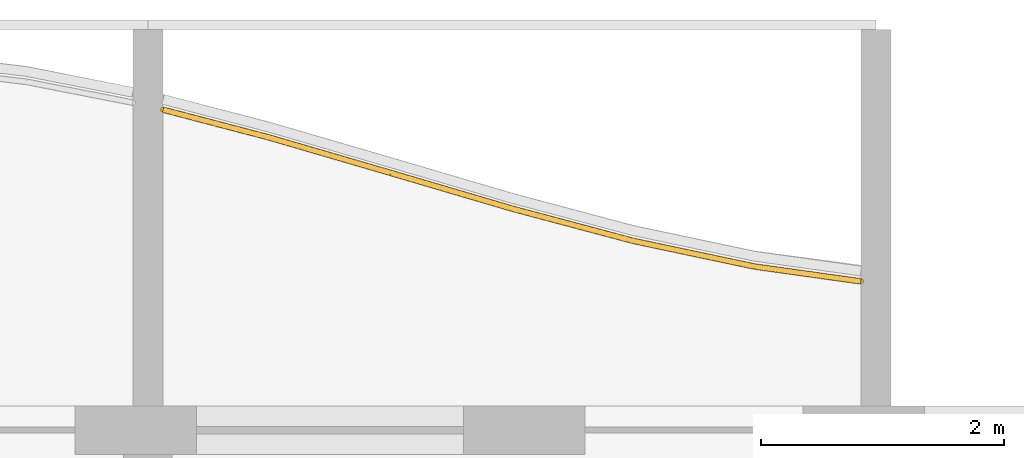
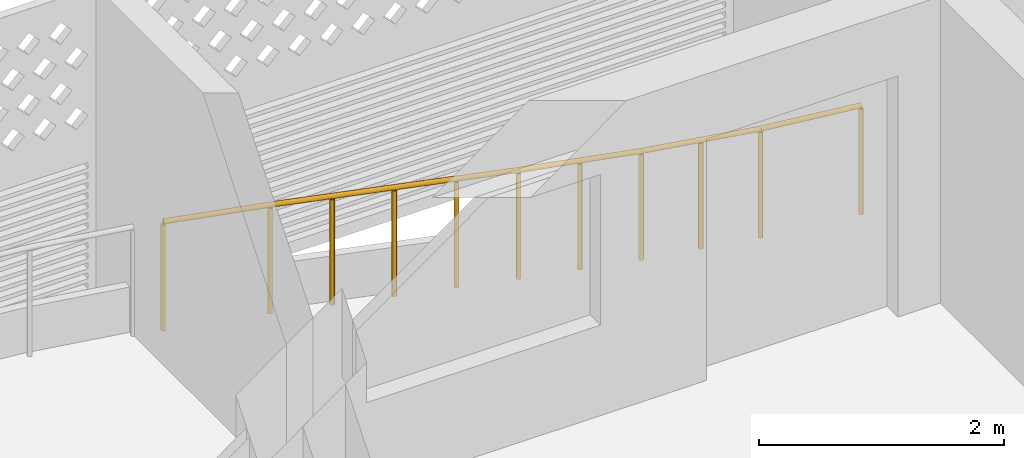
# One storey, part 22 of 40: 1 railing.
"""IFC4 building model written with IfcOpenShell, lengths in metres."""

from ifc_helpers import new_model, si_unit, direction, frame, origin, origin_2d, place, context, subcontext, project, spatial, circle, extrude, material, type_object, element, save


model = new_model("IFC4")

# Units and contexts
model_context = context("Model", 3, precision=1e-05, world=origin(), true_north=direction((0.0, 1.0)))
body_context = subcontext(model_context, "Body", "Model", "MODEL_VIEW")
ifc_project = project(units=[si_unit("LENGTHUNIT", "METRE"), si_unit("AREAUNIT", "SQUARE_METRE"), si_unit("VOLUMEUNIT", "CUBIC_METRE"), si_unit("PLANEANGLEUNIT", "RADIAN"), si_unit("MASSUNIT", "GRAM", prefix="KILO")], contexts=[model_context])

# Site, building, storey
site_placement = place(None, origin())
site = spatial("IfcSite", under=ifc_project, at=site_placement, CompositionType="ELEMENT")
building_placement = place(site_placement, origin())
building = spatial("IfcBuilding", under=site, at=building_placement, Name="Poui Terraces", CompositionType="ELEMENT")
storey_placement = place(building_placement, frame((0.0, 0.0, 36.60009765625)))
storey = spatial("IfcBuildingStorey", under=building, at=storey_placement, Name="L09", CompositionType="ELEMENT", Elevation=36.60009765625)

# Railing
ifc_material = material(Name="Painted steel fretwork", Category="steel")
railing_type = type_object("IfcRailingType", Name="BALCONY GUARD 1100", PredefinedType="GUARDRAIL", material=ifc_material)
railing_placement = place(storey_placement, frame((12.125, 47.440673828125, 0.0)))
element("IfcRailing", 1, at=railing_placement, inside=storey, type_object=railing_type, Name="BALCONY GUARD", PredefinedType="GUARDRAIL", context=body_context, shape_type="SweptSolid", body=[
    extrude(circle(Radius=0.02392578125, at=origin_2d()), frame((0.0, 0.0, 1.076171875), z_axis=(0.967350168879, -0.253443584983, 0.0), x_axis=(0.253443584983, 0.967350168879, 0.0)), (0.0, 0.0, 1.0), 0.904541015625),
    extrude(circle(Radius=0.02392578125, at=origin_2d()), frame((0.875, -0.229248046875, 1.076171875), z_axis=(0.960041991036, -0.279855990551, 0.0), x_axis=(0.279855990551, 0.960041991036, 0.0)), (0.0, 0.0, 1.0), 1.04150390625),
    extrude(circle(Radius=0.02392578125, at=origin_2d()), frame((1.875, -0.520751953125, 1.076171875), z_axis=(0.959346851742, -0.282229725671, 0.0), x_axis=(0.282229725671, 0.959346851742, 0.0)), (0.0, 0.0, 1.0), 1.04248046875),
    extrude(circle(Radius=0.02392578125, at=origin_2d()), frame((2.875, -0.81494140625, 1.076171875), z_axis=(0.966309295868, -0.257383652781, 0.0), x_axis=(0.257383652781, 0.966309295868, 0.0)), (0.0, 0.0, 1.0), 1.034912109375),
    extrude(circle(Radius=0.02392578125, at=origin_2d()), frame((3.875, -1.081298828125, 1.076171875), z_axis=(0.978420335295, -0.206624411629, 0.0), x_axis=(0.206624411629, 0.978420335295, 0.0)), (0.0, 0.0, 1.0), 1.02197265625),
    extrude(circle(Radius=0.02392578125, at=origin_2d()), frame((4.875, -1.29248046875, 1.076171875), z_axis=(0.990370561687, -0.138441867021, 0.0), x_axis=(0.138441867021, 0.990370561687, 0.0)), (0.0, 0.0, 1.0), 0.883544921875),
    extrude(circle(Radius=0.02099609375, at=origin_2d()), origin(), (0.0, 0.0, 1.0), 1.052001953125),
    extrude(circle(Radius=0.02099609375, at=origin_2d()), frame((0.875, -0.229248046875, 0.0)), (0.0, 0.0, 1.0), 1.052001953125),
    extrude(circle(Radius=0.02099609375, at=origin_2d()), frame((1.375, -0.375, 0.0)), (0.0, 0.0, 1.0), 1.052001953125),
    extrude(circle(Radius=0.02099609375, at=origin_2d()), frame((1.875, -0.520751953125, 0.0)), (0.0, 0.0, 1.0), 1.052001953125),
    extrude(circle(Radius=0.02099609375, at=origin_2d()), frame((2.375, -0.66796875, 0.0)), (0.0, 0.0, 1.0), 1.052001953125),
    extrude(circle(Radius=0.02099609375, at=origin_2d()), frame((2.875, -0.81494140625, 0.0)), (0.0, 0.0, 1.0), 1.052001953125),
    extrude(circle(Radius=0.02099609375, at=origin_2d()), frame((3.375, -0.9482421875, 0.0)), (0.0, 0.0, 1.0), 1.052001953125),
    extrude(circle(Radius=0.02099609375, at=origin_2d()), frame((3.875, -1.081298828125, 0.0)), (0.0, 0.0, 1.0), 1.052001953125),
    extrude(circle(Radius=0.02099609375, at=origin_2d()), frame((4.375, -1.18701171875, 0.0)), (0.0, 0.0, 1.0), 1.052001953125),
    extrude(circle(Radius=0.02099609375, at=origin_2d()), frame((4.875, -1.29248046875, 0.0)), (0.0, 0.0, 1.0), 1.052001953125),
    extrude(circle(Radius=0.02099609375, at=origin_2d()), frame((5.75, -1.414794921875, 0.0)), (0.0, 0.0, 1.0), 1.052001953125),
])

save(model, "model.ifc")
